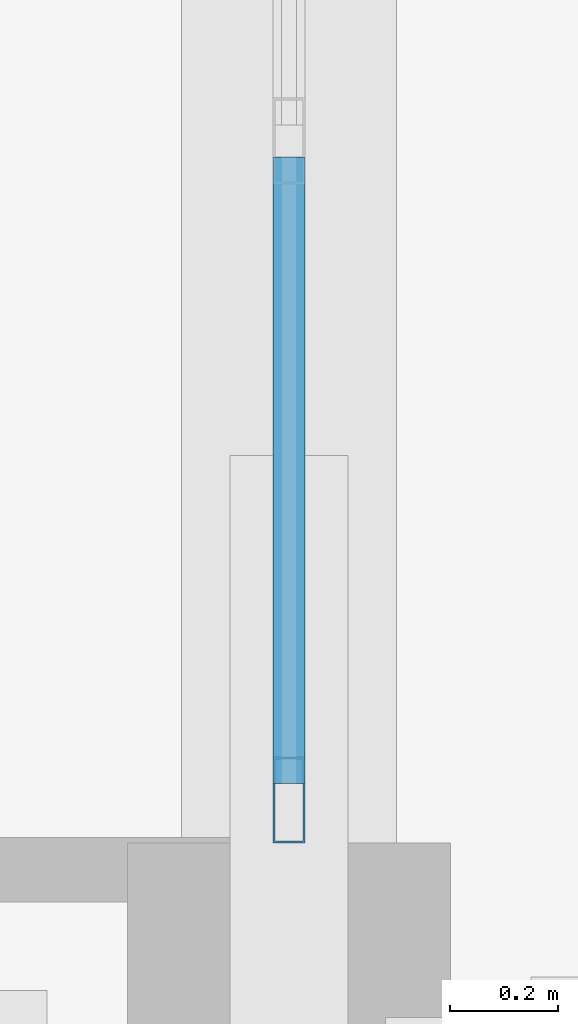
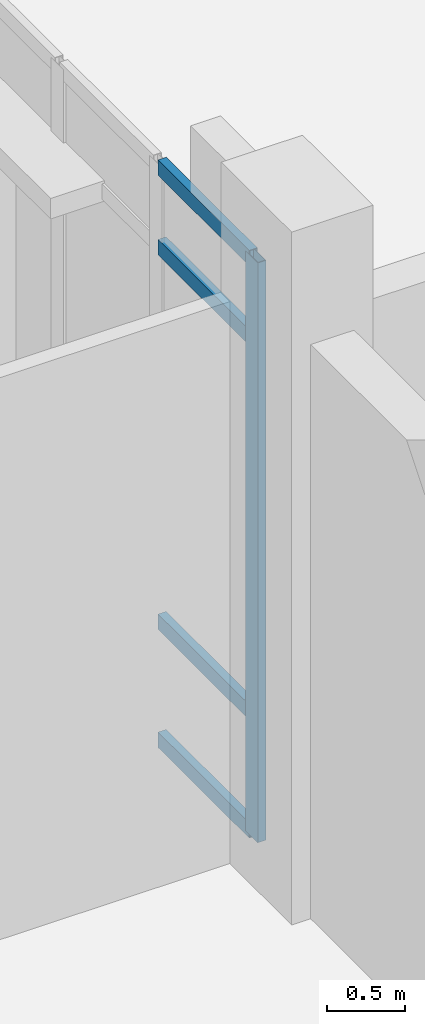
# One storey, part 15 of 110: 5 members, 1 element without a shape of its own.
"""IFC4 building model written with IfcOpenShell, lengths in metres."""

from ifc_helpers import new_model, si_unit, direction, frame, origin, origin_2d, place, context, subcontext, project, spatial, hollow_rectangle, extrude, material, material_profile, profile_set, type_object, element, aggregate, save


model = new_model("IFC4")

# Units and contexts
model_context = context("Model", 3, precision=1e-05, world=origin(), true_north=direction((0.0, 1.0)))
body_context = subcontext(model_context, "Body", "Model", "MODEL_VIEW")
ifc_project = project(units=[si_unit("LENGTHUNIT", "METRE"), si_unit("AREAUNIT", "SQUARE_METRE"), si_unit("VOLUMEUNIT", "CUBIC_METRE"), si_unit("PLANEANGLEUNIT", "RADIAN"), si_unit("MASSUNIT", "GRAM", prefix="KILO")], contexts=[model_context])

# Site, building, storey
site_placement = place(None, origin())
site = spatial("IfcSite", under=ifc_project, at=site_placement, CompositionType="ELEMENT")
building_placement = place(site_placement, origin())
building = spatial("IfcBuilding", under=site, at=building_placement, Name="Kalluvel Institute of Natural Sciences", CompositionType="ELEMENT")
storey_placement = place(building_placement, origin())
storey = spatial("IfcBuildingStorey", under=building, at=storey_placement, Name="L00", CompositionType="ELEMENT", Elevation=0.0)

# Curtain wall, members
ifc_material = material(Name="Aluminium AW-6063 T6", Category="aluminium")
curtain_wall_type = type_object("IfcCurtainWallType", Name="CW-DRY-54", PredefinedType="USERDEFINED", material=ifc_material)
curtain_wall_placement = place(storey_placement, origin())
curtain_wall = element("IfcCurtainWall", 1, at=curtain_wall_placement, inside=storey, type_object=curtain_wall_type, Name="L00 Gothic lancet curtain wall CWA-L00-X356-Y361", ObjectType="UNITISED LANCET FACADE", PredefinedType="USERDEFINED")
ifc_material_profile_1 = material_profile(ifc_material, hollow_rectangle(XDim=0.06005859375, YDim=0.159912109375, WallThickness=0.00390625, at=origin_2d()), Name="CWM 60x160")
ifc_profile_set_1 = profile_set([ifc_material_profile_1], Name="Aluminium AW-6063 T6")
member_type_1 = type_object("IfcMemberType", Name="CWM-60x160", PredefinedType="MULLION", material=ifc_profile_set_1)
member_1_placement = place(storey_placement, frame((35.60009765625, 36.1298828125, 0.0), z_axis=(0.0, 0.0, 1.0), x_axis=(-1.0, 0.0, 0.0)))
member_1 = element("IfcMember", 2, at=member_1_placement, type_object=member_type_1, Name="CW-04 mullion 1", PredefinedType="MULLION", context=body_context, shape_type="SweptSolid", body=[
    extrude(hollow_rectangle(XDim=0.06005859375, YDim=0.159912109375, WallThickness=0.00390625, at=origin_2d()), origin(), (0.0, 0.0, 1.0), 4.52001953125),
])
ifc_material_profile_2 = material_profile(ifc_material, hollow_rectangle(XDim=0.06005859375, YDim=0.1201171875, WallThickness=0.00390625, at=origin_2d()), Name="CWT 60x120")
ifc_profile_set_2 = profile_set([ifc_material_profile_2], Name="Aluminium AW-6063 T6")
member_type_2 = type_object("IfcMemberType", Name="CWT-60x120", PredefinedType="USERDEFINED", material=ifc_profile_set_2)
member_2_placement = place(storey_placement, frame((35.60009765625, 36.159912109375, 0.030029296875), z_axis=(0.0, 1.0, 0.0), x_axis=(-1.0, 0.0, 0.0)))
member_2 = element("IfcMember", 3, at=member_2_placement, type_object=member_type_2, Name="CW-04 transom 1.1", ObjectType="TRANSOM", PredefinedType="USERDEFINED", context=body_context, shape_type="SweptSolid", body=[
    extrude(hollow_rectangle(XDim=0.06005859375, YDim=0.1201171875, WallThickness=0.00390625, at=origin_2d()), origin(), (0.0, 0.0, 1.0), 1.1650390625),
])
member_3_placement = place(storey_placement, frame((35.60009765625, 36.159912109375, 0.949951171875), z_axis=(0.0, 1.0, 0.0), x_axis=(-1.0, 0.0, 0.0)))
member_3 = element("IfcMember", 4, at=member_3_placement, type_object=member_type_2, Name="CW-04 transom 1.2", ObjectType="TRANSOM", PredefinedType="USERDEFINED", context=body_context, shape_type="SweptSolid", body=[
    extrude(hollow_rectangle(XDim=0.06005859375, YDim=0.1201171875, WallThickness=0.00390625, at=origin_2d()), origin(), (0.0, 0.0, 1.0), 1.1650390625),
])
member_4_placement = place(storey_placement, frame((35.60009765625, 36.159912109375, 3.8701171875), z_axis=(0.0, 1.0, 0.0), x_axis=(-1.0, 0.0, 0.0)))
member_4 = element("IfcMember", 5, at=member_4_placement, type_object=member_type_2, Name="CW-04 transom 1.3", ObjectType="TRANSOM", PredefinedType="USERDEFINED", context=body_context, shape_type="SweptSolid", body=[
    extrude(hollow_rectangle(XDim=0.06005859375, YDim=0.1201171875, WallThickness=0.00390625, at=origin_2d()), origin(), (0.0, 0.0, 1.0), 1.1650390625),
])
member_5_placement = place(storey_placement, frame((35.60009765625, 36.159912109375, 4.489990234375), z_axis=(0.0, 1.0, 0.0), x_axis=(-1.0, 0.0, 0.0)))
member_5 = element("IfcMember", 6, at=member_5_placement, type_object=member_type_2, Name="CW-04 transom 1.4", ObjectType="TRANSOM", PredefinedType="USERDEFINED", context=body_context, shape_type="SweptSolid", body=[
    extrude(hollow_rectangle(XDim=0.06005859375, YDim=0.1201171875, WallThickness=0.00390625, at=origin_2d()), origin(), (0.0, 0.0, 1.0), 1.1650390625),
])
aggregate(curtain_wall, [member_1, member_2, member_3, member_4, member_5])

save(model, "model.ifc")
